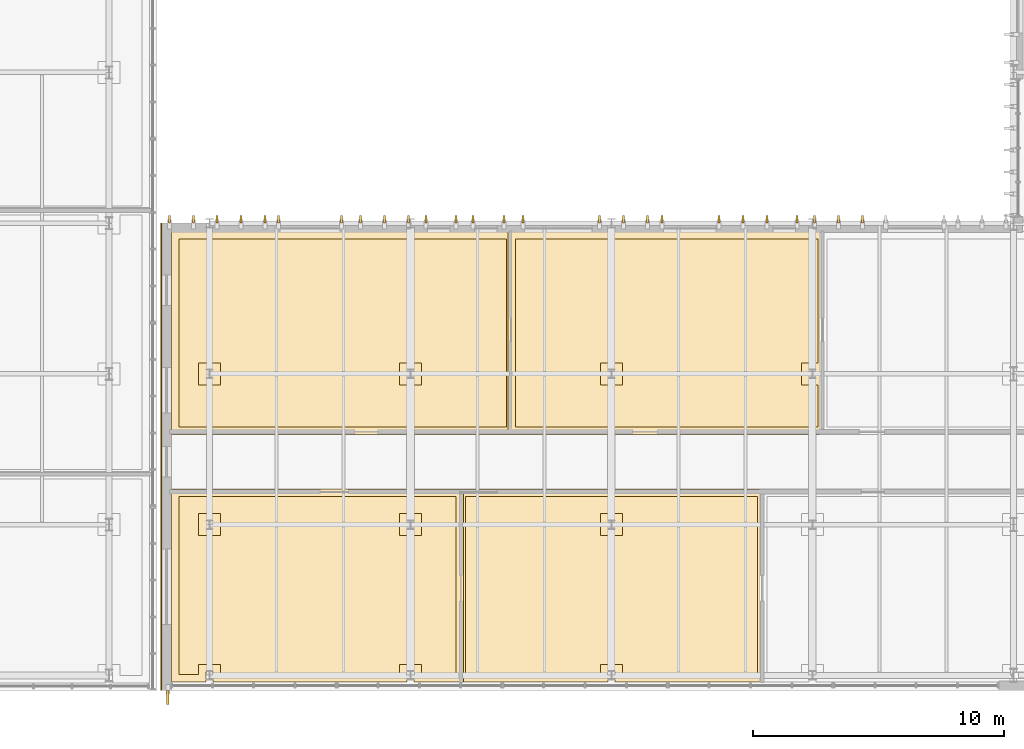
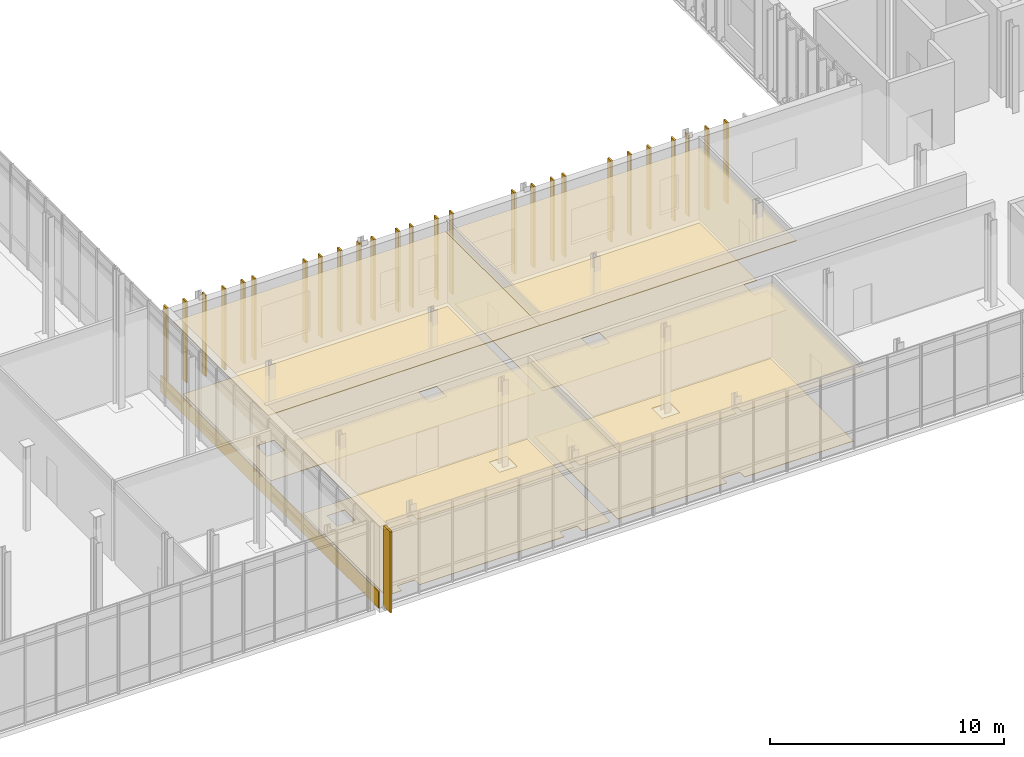
# One storey, part 78 of 86: 36 coverings.
"""IFC4 building model written with IfcOpenShell, lengths in metres."""

from ifc_helpers import new_model, si_unit, direction, frame, frame_2d, origin, origin_2d, place, context, subcontext, project, spatial, polyline, rectangle, outline, extrude, material, layer, layer_set, type_object, element, save


model = new_model("IFC4")

# Units and contexts
model_context = context("Model", 3, precision=1e-05, world=origin(), true_north=direction((0.0, 1.0)))
body_context = subcontext(model_context, "Body", "Model", "MODEL_VIEW")
ifc_project = project(units=[si_unit("LENGTHUNIT", "METRE"), si_unit("AREAUNIT", "SQUARE_METRE"), si_unit("VOLUMEUNIT", "CUBIC_METRE"), si_unit("PLANEANGLEUNIT", "RADIAN"), si_unit("MASSUNIT", "GRAM", prefix="KILO")], contexts=[model_context])

# Site, building, storey
site_placement = place(None, origin())
site = spatial("IfcSite", under=ifc_project, at=site_placement, CompositionType="ELEMENT")
building_placement = place(site_placement, origin())
building = spatial("IfcBuilding", under=site, at=building_placement, Name="Cymarion Research Institute", CompositionType="ELEMENT")
storey_placement = place(building_placement, frame((0.0, 0.0, 13.800048828125)))
storey = spatial("IfcBuildingStorey", under=building, at=storey_placement, Name="L03", CompositionType="ELEMENT", Elevation=13.800048828125)

# Coverings
ifc_material_1 = material(Name="Micro-perforated mineral acoustic ceiling tile", Category="gypsum")
ifc_layer_1 = layer(ifc_material_1, 0.030029296875)
ifc_layer_set_1 = layer_set([ifc_layer_1], Name="Micro-perforated mineral acoustic ceiling tile")
covering_type_1 = type_object("IfcCoveringType", Name="ACOUSTIC MICRO-PERFORATED SUSPENDED CEILING CLG-01", PredefinedType="CEILING", material=ifc_layer_set_1)
covering_1_placement = place(storey_placement, frame((0.0, 0.0, 3.68994140625)))
element("IfcCovering", 1, at=covering_1_placement, inside=storey, type_object=covering_type_1, Name="L03 Environmental Genomics Wet Laboratory acoustic ceiling", PredefinedType="CEILING", context=body_context, shape_type="SweptSolid", body=[
    extrude(outline(polyline([(116.715087890625, 12.9150390625), (116.715087890625, 5.235107421875), (114.735107421875, 5.235107421875), (114.735107421875, 5.635009765625), (114.465087890625, 5.635009765625), (114.465087890625, 5.235107421875), (106.735107421875, 5.235107421875), (106.735107421875, 5.635009765625), (106.465087890625, 5.635009765625), (106.465087890625, 5.235107421875), (105.0849609375, 5.235107421875), (105.0849609375, 12.9150390625), (116.715087890625, 12.9150390625)])), origin(), (0.0, 0.0, 1.0), 0.030029296875),
])
covering_2_placement = place(storey_placement, frame((0.0, 0.0, 3.68994140625)))
element("IfcCovering", 2, at=covering_2_placement, inside=storey, type_object=covering_type_1, Name="L03 Biophysics Laser Bench Laboratory acoustic ceiling", PredefinedType="CEILING", context=body_context, shape_type="SweptSolid", body=[
    extrude(outline(polyline([(128.715087890625, 12.9150390625), (128.715087890625, 5.235107421875), (122.735107421875, 5.235107421875), (122.735107421875, 5.635009765625), (122.465087890625, 5.635009765625), (122.465087890625, 5.235107421875), (116.485107421875, 5.235107421875), (116.485107421875, 12.9150390625), (128.715087890625, 12.9150390625)])), origin(), (0.0, 0.0, 1.0), 0.030029296875),
])
covering_3_placement = place(storey_placement, frame((0.0, 0.0, 3.68994140625)))
element("IfcCovering", 3, at=covering_3_placement, inside=storey, type_object=covering_type_1, Name="L03 L03 Dry Researcher Write-Up Cluster West acoustic ceiling", PredefinedType="CEILING", context=body_context, shape_type="SweptSolid", body=[
    extrude(outline(polyline([(118.715087890625, 23.1650390625), (118.715087890625, 15.0849609375), (105.0849609375, 15.0849609375), (105.0849609375, 23.1650390625), (118.715087890625, 23.1650390625)])), origin(), (0.0, 0.0, 1.0), 0.030029296875),
])
covering_4_placement = place(storey_placement, frame((0.0, 0.0, 3.68994140625)))
element("IfcCovering", 4, at=covering_4_placement, inside=storey, type_object=covering_type_1, Name="L03 L03 Dry Researcher Write-Up Cluster East acoustic ceiling", PredefinedType="CEILING", context=body_context, shape_type="SweptSolid", body=[
    extrude(outline(polyline([(131.114990234375, 23.1650390625), (131.114990234375, 15.0849609375), (118.485107421875, 15.0849609375), (118.485107421875, 23.1650390625), (131.114990234375, 23.1650390625)])), origin(), (0.0, 0.0, 1.0), 0.030029296875),
])
ifc_material_2 = material(Name="Precast concrete C45/55 architectural white", Category="concrete")
ifc_layer_2 = layer(ifc_material_2, 0.090087890625)
ifc_layer_set_2 = layer_set([ifc_layer_2], Name="Precast concrete C45/55 architectural white")
covering_type_2 = type_object("IfcCoveringType", Name="ARCHITECTURAL WHITE PRECAST CONCRETE VERTICAL FIN FIN1 560MM", PredefinedType="CLADDING", material=ifc_layer_set_2)
covering_5_placement = place(storey_placement, frame((104.93994140625, 4.617919921875, 0.009765625), z_axis=(0.0, 0.0, 1.0), x_axis=(0.0, -1.0, 0.0)))
element("IfcCovering", 5, at=covering_5_placement, inside=storey, type_object=covering_type_2, Name="L03 V1 white precast vertical fin FIN1 #316", PredefinedType="CLADDING", context=body_context, shape_type="SweptSolid", body=[
    extrude(rectangle(XDim=0.56005859375, YDim=0.090087890625, at=origin_2d()), origin(), (0.0, 0.0, 1.0), 4.219970703125),
])
ifc_layer_3 = layer(ifc_material_2, 0.080078125)
ifc_layer_set_3 = layer_set([ifc_layer_3], Name="Precast concrete C45/55 architectural white")
covering_type_3 = type_object("IfcCoveringType", Name="ARCHITECTURAL WHITE PRECAST CONCRETE VERTICAL FIN FIN4 300MM", PredefinedType="CLADDING", material=ifc_layer_set_3)
for number, where, z_axis, x_axis, name in (
    (6, (132.59130859375, 23.652099609375, 0.009765625), (0.0, 0.0, 1.0), (0.0, 1.0, 0.0), "L03 V1 white precast vertical fin FIN4 #393"),
    (7, (131.639892578125, 23.652099609375, 0.009765625), (0.0, 0.0, 1.0), (0.0, 1.0, 0.0), "L03 V1 white precast vertical fin FIN4 #394"),
    (8, (130.688720703125, 23.652099609375, 0.009765625), (0.0, 0.0, 1.0), (0.0, 1.0, 0.0), "L03 V1 white precast vertical fin FIN4 #395"),
    (9, (129.989990234375, 23.652099609375, 0.009765625), (0.0, 0.0, 1.0), (0.0, 1.0, 0.0), "L03 V1 white precast vertical fin FIN4 #396"),
    (10, (128.78564453125, 23.652099609375, 0.009765625), (0.0, 0.0, 1.0), (0.0, 1.0, 0.0), "L03 V1 white precast vertical fin FIN4 #397"),
    (11, (127.834228515625, 23.652099609375, 0.009765625), (0.0, 0.0, 1.0), (0.0, 1.0, 0.0), "L03 V1 white precast vertical fin FIN4 #398"),
    (12, (126.8828125, 23.652099609375, 0.009765625), (0.0, 0.0, 1.0), (0.0, 1.0, 0.0), "L03 V1 white precast vertical fin FIN4 #399"),
    (13, (124.610107421875, 23.652099609375, 0.009765625), (0.0, 0.0, 1.0), (0.0, 1.0, 0.0), "L03 V1 white precast vertical fin FIN4 #400"),
    (14, (124.028564453125, 23.652099609375, 0.009765625), (0.0, 0.0, 1.0), (0.0, 1.0, 0.0), "L03 V1 white precast vertical fin FIN4 #401"),
    (15, (123.0771484375, 23.652099609375, 0.009765625), (0.0, 0.0, 1.0), (0.0, 1.0, 0.0), "L03 V1 white precast vertical fin FIN4 #402"),
    (16, (122.125732421875, 23.652099609375, 0.009765625), (0.0, 0.0, 1.0), (0.0, 1.0, 0.0), "L03 V1 white precast vertical fin FIN4 #403"),
    (17, (119.070068359375, 23.652099609375, 0.009765625), (0.0, 0.0, 1.0), (0.0, 1.0, 0.0), "L03 V1 white precast vertical fin FIN4 #404"),
    (18, (118.320068359375, 23.652099609375, 0.009765625), (0.0, 0.0, 1.0), (0.0, 1.0, 0.0), "L03 V1 white precast vertical fin FIN4 #405"),
    (19, (117.090087890625, 23.652099609375, 0.009765625), (0.0, 0.0, 1.0), (0.0, 1.0, 0.0), "L03 V1 white precast vertical fin FIN4 #406"),
    (20, (116.4169921875, 23.652099609375, 0.009765625), (0.0, 0.0, 1.0), (0.0, 1.0, 0.0), "L03 V1 white precast vertical fin FIN4 #407"),
    (21, (115.2099609375, 23.652099609375, 0.009765625), (0.0, 0.0, 1.0), (0.0, 1.0, 0.0), "L03 V1 white precast vertical fin FIN4 #408"),
    (22, (114.514404296875, 23.652099609375, 0.009765625), (0.0, 0.0, 1.0), (0.0, 1.0, 0.0), "L03 V1 white precast vertical fin FIN4 #409"),
    (23, (113.56298828125, 23.652099609375, 0.009765625), (0.0, 0.0, 1.0), (0.0, 1.0, 0.0), "L03 V1 white precast vertical fin FIN4 #410"),
    (24, (112.611328125, 23.652099609375, 0.009765625), (0.0, 0.0, 1.0), (0.0, 1.0, 0.0), "L03 V1 white precast vertical fin FIN4 #411"),
    (25, (111.860107421875, 23.652099609375, 0.009765625), (0.0, 0.0, 1.0), (0.0, 1.0, 0.0), "L03 V1 white precast vertical fin FIN4 #412"),
    (26, (109.340087890625, 23.652099609375, 0.009765625), (0.0, 0.0, 1.0), (0.0, 1.0, 0.0), "L03 V1 white precast vertical fin FIN4 #413"),
    (27, (108.8056640625, 23.652099609375, 0.009765625), (0.0, 0.0, 1.0), (0.0, 1.0, 0.0), "L03 V1 white precast vertical fin FIN4 #414"),
    (28, (107.854248046875, 23.652099609375, 0.009765625), (0.0, 0.0, 1.0), (0.0, 1.0, 0.0), "L03 V1 white precast vertical fin FIN4 #415"),
    (29, (106.90283203125, 23.652099609375, 0.009765625), (0.0, 0.0, 1.0), (0.0, 1.0, 0.0), "L03 V1 white precast vertical fin FIN4 #416"),
    (30, (105.951416015625, 23.652099609375, 0.009765625), (0.0, 0.0, 1.0), (0.0, 1.0, 0.0), "L03 V1 white precast vertical fin FIN4 #417"),
    (31, (105.0, 23.652099609375, 0.009765625), (0.0, 0.0, 1.0), (0.0, 1.0, 0.0), "L03 V1 white precast vertical fin FIN4 #418"),
):
    element("IfcCovering", number, at=place(storey_placement, frame(where, z_axis=z_axis, x_axis=x_axis)), inside=storey, type_object=covering_type_3, Name=name, PredefinedType="CLADDING", context=body_context, shape_type="SweptSolid", body=[
        extrude(rectangle(XDim=0.300048828125, YDim=0.080078125, at=origin_2d()), origin(), (0.0, 0.0, 1.0), 4.219970703125),
    ])
ifc_material_3 = material(Name="Seamless dissipative epoxy resin flooring", Category="resin")
ifc_layer_4 = layer(ifc_material_3, 0.02001953125)
ifc_layer_set_4 = layer_set([ifc_layer_4], Name="Seamless dissipative epoxy resin flooring")
covering_type_4 = type_object("IfcCoveringType", Name="SEAMLESS ESD EPOXY LABORATORY FLOORING FLR-01", PredefinedType="FLOORING", material=ifc_layer_set_4)
covering_6_placement = place(storey_placement, origin())
element("IfcCovering", 32, at=covering_6_placement, inside=storey, type_object=covering_type_4, Name="L03 Environmental Genomics Wet Laboratory ESD epoxy flooring", PredefinedType="FLOORING", context=body_context, shape_type="SweptSolid", body=[
    extrude(outline(polyline([(105.385009765625, 12.614990234375), (116.4150390625, 12.614990234375), (116.4150390625, 5.534912109375), (115.034912109375, 5.534912109375), (115.034912109375, 5.93505859375), (114.1650390625, 5.93505859375), (114.1650390625, 5.534912109375), (107.034912109375, 5.534912109375), (107.034912109375, 5.93505859375), (106.1650390625, 5.93505859375), (106.1650390625, 5.534912109375), (105.385009765625, 5.534912109375), (105.385009765625, 12.614990234375)]), holes=[polyline([(114.1650390625, 11.93505859375), (114.1650390625, 11.06494140625), (115.034912109375, 11.06494140625), (115.034912109375, 11.93505859375), (114.1650390625, 11.93505859375)]), polyline([(107.034912109375, 11.93505859375), (106.1650390625, 11.93505859375), (106.1650390625, 11.06494140625), (107.034912109375, 11.06494140625), (107.034912109375, 11.93505859375)])]), origin(), (0.0, 0.0, 1.0), 0.02001953125),
])
covering_7_placement = place(storey_placement, origin())
element("IfcCovering", 33, at=covering_7_placement, inside=storey, type_object=covering_type_4, Name="L03 Biophysics Laser Bench Laboratory ESD epoxy flooring", PredefinedType="FLOORING", context=body_context, shape_type="SweptSolid", body=[
    extrude(outline(polyline([(116.784912109375, 12.614990234375), (128.4150390625, 12.614990234375), (128.4150390625, 5.534912109375), (123.034912109375, 5.534912109375), (123.034912109375, 5.93505859375), (122.1650390625, 5.93505859375), (122.1650390625, 5.534912109375), (116.784912109375, 5.534912109375), (116.784912109375, 12.614990234375)]), holes=[polyline([(123.034912109375, 11.93505859375), (122.1650390625, 11.93505859375), (122.1650390625, 11.06494140625), (123.034912109375, 11.06494140625), (123.034912109375, 11.93505859375)])]), origin(), (0.0, 0.0, 1.0), 0.02001953125),
])
covering_8_placement = place(storey_placement, origin())
element("IfcCovering", 34, at=covering_8_placement, inside=storey, type_object=covering_type_4, Name="L03 L03 Dry Researcher Write-Up Cluster West ESD epoxy flooring", PredefinedType="FLOORING", context=body_context, shape_type="SweptSolid", body=[
    extrude(outline(polyline([(105.385009765625, 22.864990234375), (118.4150390625, 22.864990234375), (118.4150390625, 15.385009765625), (105.385009765625, 15.385009765625), (105.385009765625, 22.864990234375)]), holes=[polyline([(114.1650390625, 17.93505859375), (114.1650390625, 17.06494140625), (115.034912109375, 17.06494140625), (115.034912109375, 17.93505859375), (114.1650390625, 17.93505859375)]), polyline([(107.034912109375, 17.93505859375), (106.1650390625, 17.93505859375), (106.1650390625, 17.06494140625), (107.034912109375, 17.06494140625), (107.034912109375, 17.93505859375)])]), origin(), (0.0, 0.0, 1.0), 0.02001953125),
])
covering_9_placement = place(storey_placement, origin())
element("IfcCovering", 35, at=covering_9_placement, inside=storey, type_object=covering_type_4, Name="L03 L03 Dry Researcher Write-Up Cluster East ESD epoxy flooring", PredefinedType="FLOORING", context=body_context, shape_type="SweptSolid", body=[
    extrude(outline(polyline([(118.784912109375, 22.864990234375), (130.81494140625, 22.864990234375), (130.81494140625, 17.93505859375), (130.1650390625, 17.93505859375), (130.1650390625, 17.06494140625), (130.81494140625, 17.06494140625), (130.81494140625, 15.385009765625), (118.784912109375, 15.385009765625), (118.784912109375, 22.864990234375)]), holes=[polyline([(123.034912109375, 17.93505859375), (122.1650390625, 17.93505859375), (122.1650390625, 17.06494140625), (123.034912109375, 17.06494140625), (123.034912109375, 17.93505859375)])]), origin(), (0.0, 0.0, 1.0), 0.02001953125),
])
ifc_material_4 = material(Name="Campanian volcanic piperno stone rainscreen", Category="masonry")
ifc_layer_5 = layer(ifc_material_4, 0.050048828125)
ifc_layer_set_5 = layer_set([ifc_layer_5], Name="Campanian volcanic piperno stone rainscreen")
covering_type_5 = type_object("IfcCoveringType", Name="VENTILATED TUFF STONE SPANDREL CLADDING COV-CL01", PredefinedType="CLADDING", material=ifc_layer_set_5)
covering_10_placement = place(storey_placement, frame((104.675048828125, 23.5, 0.0), z_axis=(0.0, 0.0, 1.0), x_axis=(0.0, -1.0, 0.0)))
element("IfcCovering", 36, at=covering_10_placement, inside=storey, type_object=covering_type_5, Name="L03 V1 volcanic piperno stone spandrel cladding #11", PredefinedType="CLADDING", context=body_context, shape_type="SweptSolid", body=[
    extrude(rectangle(XDim=18.60009765625, YDim=0.050048828125, at=frame_2d((9.300048828125, 0.0))), origin(), (0.0, 0.0, 1.0), 0.85986328125),
])

save(model, "model.ifc")
